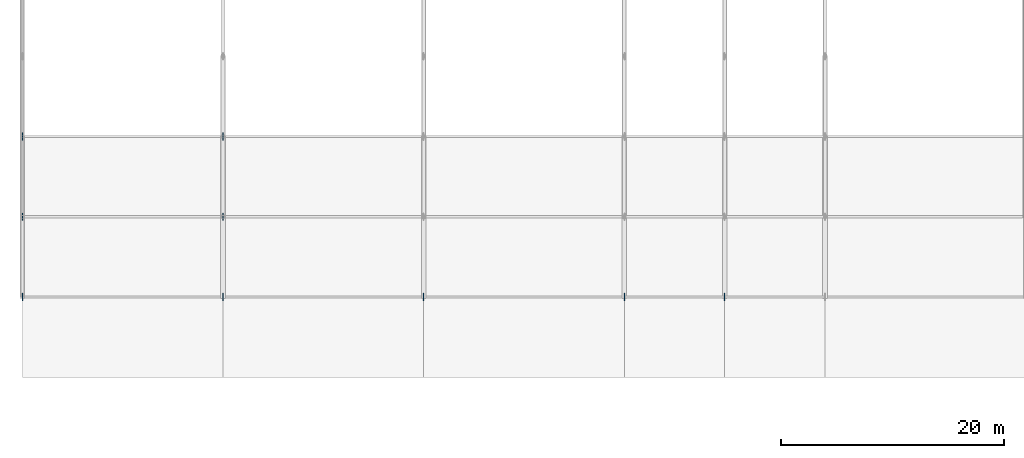
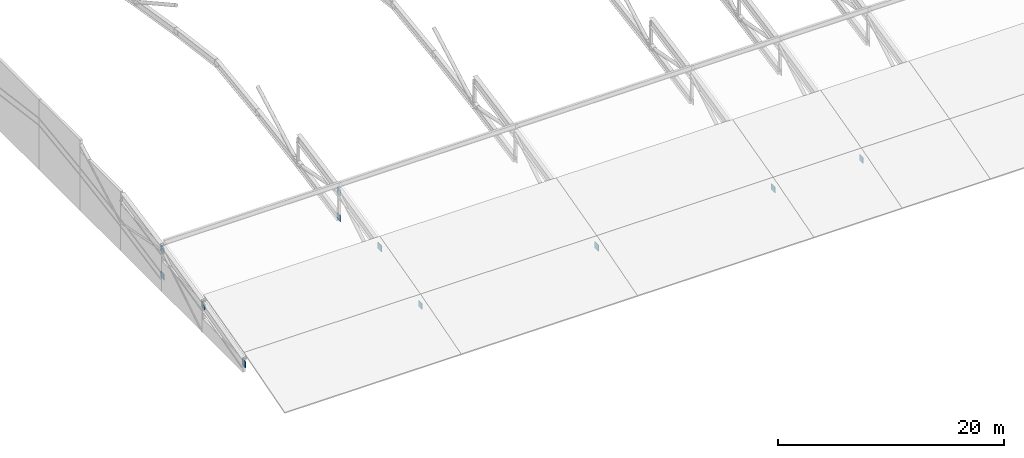
# One storey, part 80 of 124: 11 plates.
"""IFC4 building model written with IfcOpenShell, lengths in metres."""

from ifc_helpers import new_model, si_unit, direction, frame, origin, origin_2d, place, context, subcontext, project, spatial, rectangle, extrude, material, layer, layer_set, type_object, element, save


model = new_model("IFC4")

# Units and contexts
model_context = context("Model", 3, precision=1e-05, world=origin(), true_north=direction((0.0, 1.0)))
body_context = subcontext(model_context, "Body", "Model", "MODEL_VIEW")
ifc_project = project(units=[si_unit("LENGTHUNIT", "METRE"), si_unit("AREAUNIT", "SQUARE_METRE"), si_unit("VOLUMEUNIT", "CUBIC_METRE"), si_unit("PLANEANGLEUNIT", "RADIAN"), si_unit("MASSUNIT", "GRAM", prefix="KILO")], contexts=[model_context])

# Site, building, storey
site_placement = place(None, origin())
site = spatial("IfcSite", under=ifc_project, at=site_placement, CompositionType="ELEMENT")
building_placement = place(site_placement, origin())
building = spatial("IfcBuilding", under=site, at=building_placement, Name="Celestram Park Convention Centre", CompositionType="ELEMENT")
storey_placement = place(building_placement, frame((0.0, 0.0, 15.300048828125)))
storey = spatial("IfcBuildingStorey", under=building, at=storey_placement, Name="L03", CompositionType="ELEMENT", Elevation=15.300048828125)

# Plates
ifc_material = material(Name="Steel ASTM A572 Grade 50", Category="steel")
ifc_layer = layer(ifc_material, 0.050048828125)
ifc_layer_set = layer_set([ifc_layer], Name="Steel ASTM A572 Grade 50")
plate_type = type_object("IfcPlateType", Name="STR-PLT-GP50", PredefinedType="USERDEFINED", material=ifc_layer_set)
for number, where, z_axis, x_axis, name in (
    (1, (0.0, 28.800048828125, -0.2880859375), (0.0, 0.0, 1.0), (0.0, 1.0, 0.0), "V1 truss node gusset plate"),
    (2, (0.0, 36.0, 1.590087890625), (0.0, 0.0, 1.0), (0.0, 1.0, 0.0), "V1 truss node gusset plate"),
    (3, (0.0, 43.199951171875, 3.238525390625), (0.0, 0.0, 1.0), (0.0, 1.0, 0.0), "V1 truss node gusset plate"),
    (4, (0.0, 43.199951171875, 0.4384765625), (0.0, 0.0, 1.0), (0.0, 1.0, 0.0), "V1 truss node gusset plate"),
    (5, (18.0, 28.800048828125, -0.2880859375), (0.0, 0.0, 1.0), (0.0, 1.0, 0.0), "V1 truss node gusset plate"),
    (6, (18.0, 36.0, 1.590087890625), (0.0, 0.0, 1.0), (0.0, 1.0, 0.0), "V1 truss node gusset plate"),
    (7, (18.0, 43.199951171875, 3.238525390625), (0.0, 0.0, 1.0), (0.0, 1.0, 0.0), "V1 truss node gusset plate"),
    (8, (18.0, 43.199951171875, 0.4384765625), (0.0, 0.0, 1.0), (0.0, 1.0, 0.0), "V1 truss node gusset plate"),
    (9, (36.0, 28.800048828125, -0.2880859375), (0.0, 0.0, 1.0), (0.0, 1.0, 0.0), "V1 truss node gusset plate"),
    (10, (54.0, 28.800048828125, -0.2880859375), (0.0, 0.0, 1.0), (0.0, 1.0, 0.0), "V1 truss node gusset plate"),
    (11, (63.0, 28.800048828125, -0.2880859375), (0.0, 0.0, 1.0), (0.0, 1.0, 0.0), "V1 truss node gusset plate"),
):
    element("IfcPlate", number, at=place(storey_placement, frame(where, z_axis=z_axis, x_axis=x_axis)), inside=storey, type_object=plate_type, Name=name, ObjectType="GUSSET_PLATE", PredefinedType="USERDEFINED", context=body_context, shape_type="SweptSolid", body=[
        extrude(rectangle(XDim=0.64990234375, YDim=0.050048828125, at=origin_2d()), origin(), (0.0, 0.0, 1.0), 0.64990234375),
    ])

save(model, "model.ifc")
